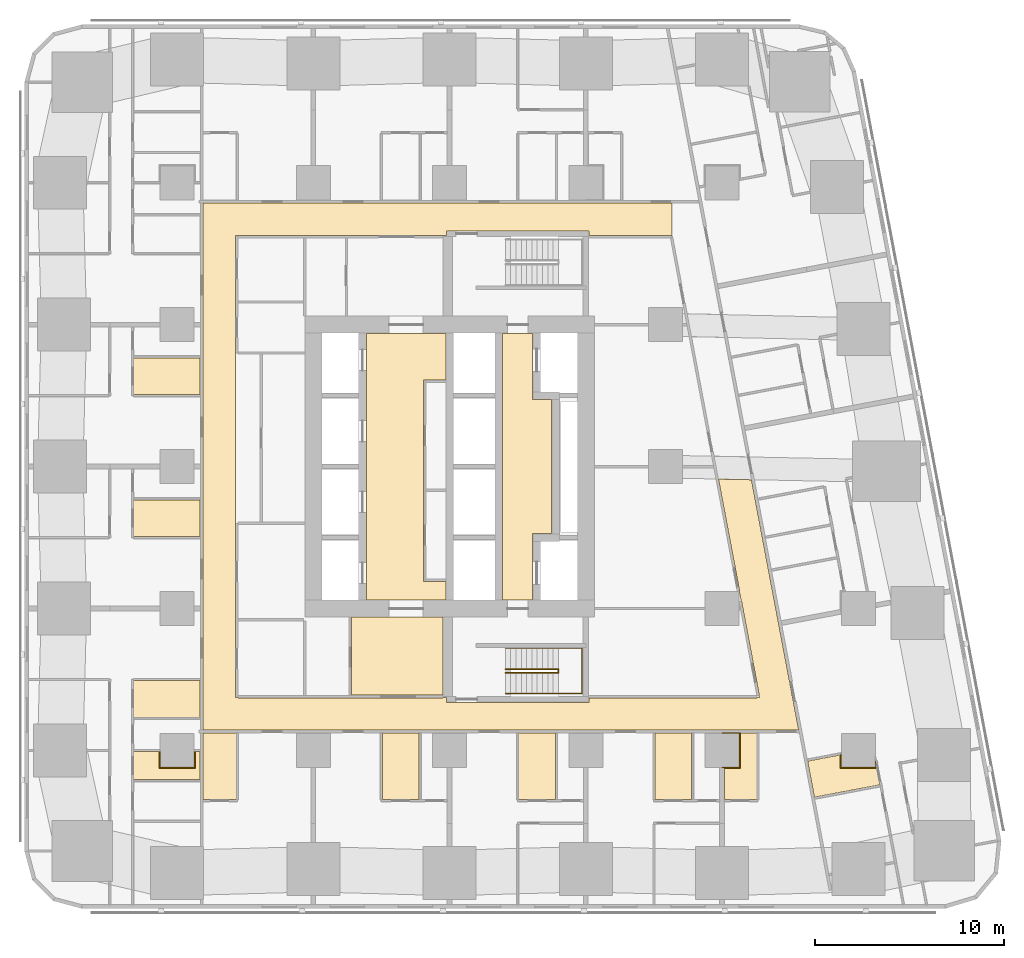
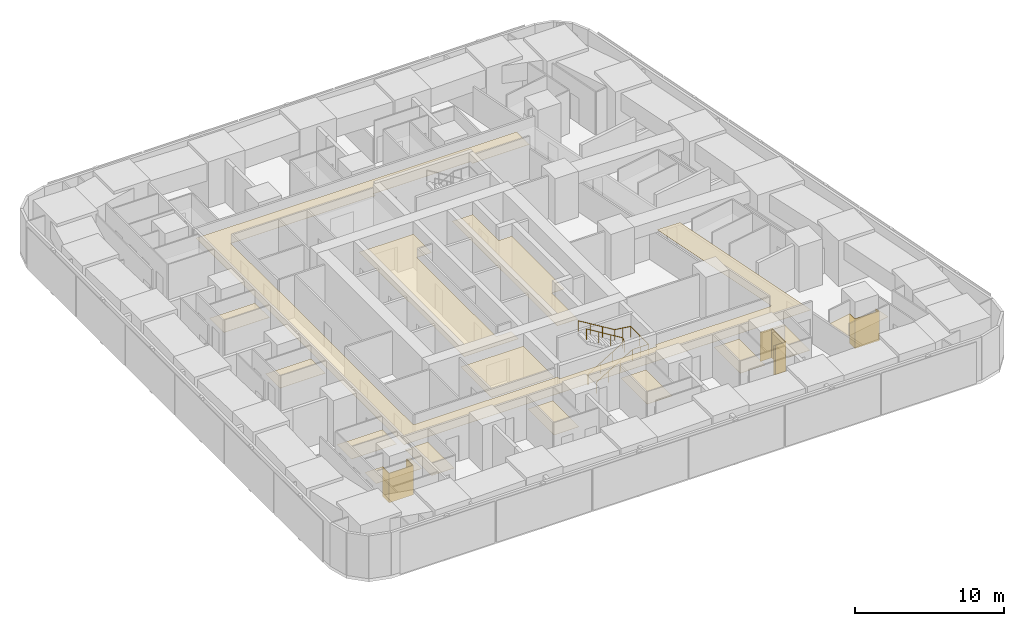
# One storey, part 13 of 15: 17 coverings, 2 railings.
"""IFC4 building model written with IfcOpenShell, lengths in metres."""

from ifc_helpers import new_model, si_unit, direction, frame, origin, origin_2d, place, context, subcontext, project, spatial, polyline, circle, outline, extrude, material, layer, layer_set, type_object, element, save


model = new_model("IFC4")

# Units and contexts
model_context = context("Model", 3, precision=1e-05, world=origin(), true_north=direction((0.0, 1.0)))
body_context = subcontext(model_context, "Body", "Model", "MODEL_VIEW")
ifc_project = project(units=[si_unit("LENGTHUNIT", "METRE"), si_unit("AREAUNIT", "SQUARE_METRE"), si_unit("VOLUMEUNIT", "CUBIC_METRE"), si_unit("PLANEANGLEUNIT", "RADIAN"), si_unit("MASSUNIT", "GRAM", prefix="KILO")], contexts=[model_context])

# Site, building, storey
site_placement = place(None, origin())
site = spatial("IfcSite", under=ifc_project, at=site_placement, CompositionType="ELEMENT")
building_placement = place(site_placement, origin())
building = spatial("IfcBuilding", under=site, at=building_placement, Name="Sheger Commons Tower", CompositionType="ELEMENT")
storey_placement = place(building_placement, frame((0.0, 0.0, 46.25)))
storey = spatial("IfcBuildingStorey", under=building, at=storey_placement, Name="L11", CompositionType="ELEMENT", Elevation=46.25)

# Railings
ifc_material_1 = material(Name="Steel handrail, black powder-coated", Category="steel")
railing_type = type_object("IfcRailingType", Name="HANDRAIL 900", PredefinedType="HANDRAIL", material=ifc_material_1)
railing_1_placement = place(storey_placement, frame((24.550048828125, 11.60009765625, 0.17041015625)))
element("IfcRailing", 1, at=railing_1_placement, inside=storey, type_object=railing_type, Name="Stair S1 handrail L11", PredefinedType="HANDRAIL", context=body_context, shape_type="SweptSolid", body=[
    extrude(circle(Radius=0.02392578125, at=origin_2d()), frame((0.0, 0.0, 0.8759765625), z_axis=(0.854169791009, 0.0, 0.51999420009), x_axis=(0.0, 1.0, 0.0)), (0.0, 0.0, 1.0), 3.278076171875),
    extrude(circle(Radius=0.02392578125, at=origin_2d()), frame((2.800048828125, 0.0, 2.58056640625), z_axis=(0.0, 0.761090297175, 0.648645943136), x_axis=(-1.0, 0.0, 0.0)), (0.0, 0.0, 1.0), 0.2626953125),
    extrude(circle(Radius=0.02392578125, at=origin_2d()), frame((2.800048828125, 0.199951171875, 2.7509765625), z_axis=(-0.854169791009, 0.0, 0.51999420009), x_axis=(0.0, -1.0, 0.0)), (0.0, 0.0, 1.0), 3.278076171875),
    extrude(circle(Radius=0.02099609375, at=origin_2d()), origin(), (0.0, 0.0, 1.0), 0.851806640625),
    extrude(circle(Radius=0.02099609375, at=origin_2d()), frame((0.933349609375, 0.0, 0.568115234375)), (0.0, 0.0, 1.0), 0.851806640625),
    extrude(circle(Radius=0.02099609375, at=origin_2d()), frame((1.86669921875, 0.0, 1.136474609375)), (0.0, 0.0, 1.0), 0.851806640625),
    extrude(circle(Radius=0.02099609375, at=origin_2d()), frame((2.800048828125, 0.0, 1.70458984375)), (0.0, 0.0, 1.0), 0.851806640625),
    extrude(circle(Radius=0.02099609375, at=origin_2d()), frame((2.800048828125, 0.199951171875, 1.875)), (0.0, 0.0, 1.0), 0.851806640625),
    extrude(circle(Radius=0.02099609375, at=origin_2d()), frame((1.86669921875, 0.199951171875, 2.443115234375)), (0.0, 0.0, 1.0), 0.851806640625),
    extrude(circle(Radius=0.02099609375, at=origin_2d()), frame((0.933349609375, 0.199951171875, 3.011474609375)), (0.0, 0.0, 1.0), 0.851806640625),
    extrude(circle(Radius=0.02099609375, at=origin_2d()), frame((0.0, 0.199951171875, 3.57958984375)), (0.0, 0.0, 1.0), 0.851806640625),
])
railing_2_placement = place(storey_placement, frame((24.550048828125, 10.5, 0.17041015625)))
element("IfcRailing", 2, at=railing_2_placement, inside=storey, type_object=railing_type, Name="Stair S1 handrail L11", PredefinedType="HANDRAIL", context=body_context, shape_type="SweptSolid", body=[
    extrude(circle(Radius=0.02392578125, at=origin_2d()), frame((0.0, 0.0, 0.8759765625), z_axis=(0.854169791009, 0.0, 0.51999420009), x_axis=(0.0, 1.0, 0.0)), (0.0, 0.0, 1.0), 3.278076171875),
    extrude(circle(Radius=0.02392578125, at=origin_2d()), frame((2.800048828125, 0.0, 2.58056640625), z_axis=(1.0, 0.0, 0.0), x_axis=(0.0, 1.0, 0.0)), (0.0, 0.0, 1.0), 1.25),
    extrude(circle(Radius=0.02392578125, at=origin_2d()), frame((4.050048828125, 0.0, 2.58056640625), z_axis=(0.0, 1.0, 0.0), x_axis=(-1.0, 0.0, 0.0)), (0.0, 0.0, 1.0), 2.39990234375),
    extrude(circle(Radius=0.02392578125, at=origin_2d()), frame((4.050048828125, 2.39990234375, 2.58056640625), z_axis=(-0.990834877927, 0.0, 0.135078661092), x_axis=(0.0, -1.0, 0.0)), (0.0, 0.0, 1.0), 1.261474609375),
    extrude(circle(Radius=0.02392578125, at=origin_2d()), frame((2.800048828125, 2.39990234375, 2.7509765625), z_axis=(-0.854169791009, 0.0, 0.51999420009), x_axis=(0.0, -1.0, 0.0)), (0.0, 0.0, 1.0), 3.278076171875),
    extrude(circle(Radius=0.02099609375, at=origin_2d()), origin(), (0.0, 0.0, 1.0), 0.851806640625),
    extrude(circle(Radius=0.02099609375, at=origin_2d()), frame((0.933349609375, 0.0, 0.568115234375)), (0.0, 0.0, 1.0), 0.851806640625),
    extrude(circle(Radius=0.02099609375, at=origin_2d()), frame((1.86669921875, 0.0, 1.136474609375)), (0.0, 0.0, 1.0), 0.851806640625),
    extrude(circle(Radius=0.02099609375, at=origin_2d()), frame((2.800048828125, 0.0, 1.70458984375)), (0.0, 0.0, 1.0), 0.851806640625),
    extrude(circle(Radius=0.02099609375, at=origin_2d()), frame((3.425048828125, 0.0, 1.70458984375)), (0.0, 0.0, 1.0), 0.851806640625),
    extrude(circle(Radius=0.02099609375, at=origin_2d()), frame((4.050048828125, 0.0, 1.70458984375)), (0.0, 0.0, 1.0), 0.851806640625),
    extrude(circle(Radius=0.02099609375, at=origin_2d()), frame((4.050048828125, 1.199951171875, 1.70458984375)), (0.0, 0.0, 1.0), 0.851806640625),
    extrude(circle(Radius=0.02099609375, at=origin_2d()), frame((4.050048828125, 2.39990234375, 1.70458984375)), (0.0, 0.0, 1.0), 0.851806640625),
    extrude(circle(Radius=0.02099609375, at=origin_2d()), frame((3.425048828125, 2.39990234375, 1.789794921875)), (0.0, 0.0, 1.0), 0.851806640625),
    extrude(circle(Radius=0.02099609375, at=origin_2d()), frame((2.800048828125, 2.39990234375, 1.875)), (0.0, 0.0, 1.0), 0.851806640625),
    extrude(circle(Radius=0.02099609375, at=origin_2d()), frame((1.86669921875, 2.39990234375, 2.443115234375)), (0.0, 0.0, 1.0), 0.851806640625),
    extrude(circle(Radius=0.02099609375, at=origin_2d()), frame((0.933349609375, 2.39990234375, 3.011474609375)), (0.0, 0.0, 1.0), 0.851806640625),
    extrude(circle(Radius=0.02099609375, at=origin_2d()), frame((0.0, 2.39990234375, 3.57958984375)), (0.0, 0.0, 1.0), 0.851806640625),
])

# Coverings
ifc_material_2 = material(Name="Moisture-resistant gypsum plasterboard 15 mm on a suspended galvanised steel grid", Category="steel")
ifc_layer_1 = layer(ifc_material_2, 0.014892578125)
ifc_layer_set_1 = layer_set([ifc_layer_1], Name="MOISTURE-RESISTANT CEILING 15")
covering_type_1 = type_object("IfcCoveringType", Name="MOISTURE-RESISTANT CEILING 15", PredefinedType="CEILING", material=ifc_layer_set_1)
covering_1_placement = place(storey_placement, frame((0.0, 0.0, 2.39990234375)))
element("IfcCovering", 3, at=covering_1_placement, inside=storey, type_object=covering_type_1, Name="L11-01.B1 ceiling", PredefinedType="CEILING", context=body_context, shape_type="SweptSolid", body=[
    extrude(outline(polyline([(4.905029296875, 9.2548828125), (8.419921875, 9.2548828125), (8.419921875, 11.195068359375), (4.905029296875, 11.195068359375), (4.905029296875, 9.2548828125)])), origin(), (0.0, 0.0, 1.0), 0.01513671875),
])
covering_2_placement = place(storey_placement, frame((0.0, 0.0, 2.39990234375)))
element("IfcCovering", 4, at=covering_2_placement, inside=storey, type_object=covering_type_1, Name="L11-01.B2 ceiling", PredefinedType="CEILING", context=body_context, shape_type="SweptSolid", body=[
    extrude(outline(polyline([(4.905029296875, 5.955078125), (8.419921875, 5.955078125), (8.419921875, 7.445068359375), (8.10498046875, 7.445068359375), (8.10498046875, 6.594970703125), (6.294921875, 6.594970703125), (6.294921875, 7.445068359375), (4.905029296875, 7.445068359375), (4.905029296875, 5.955078125)])), origin(), (0.0, 0.0, 1.0), 0.01513671875),
])
covering_3_placement = place(storey_placement, frame((0.0, 0.0, 2.39990234375)))
element("IfcCovering", 5, at=covering_3_placement, inside=storey, type_object=covering_type_1, Name="L11-02.B1 ceiling", PredefinedType="CEILING", context=body_context, shape_type="SweptSolid", body=[
    extrude(outline(polyline([(4.905029296875, 18.804931640625), (8.419921875, 18.804931640625), (8.419921875, 20.7451171875), (4.905029296875, 20.7451171875), (4.905029296875, 18.804931640625)])), origin(), (0.0, 0.0, 1.0), 0.01513671875),
])
covering_4_placement = place(storey_placement, frame((0.0, 0.0, 2.39990234375)))
element("IfcCovering", 6, at=covering_4_placement, inside=storey, type_object=covering_type_1, Name="L11-03.B1 ceiling", PredefinedType="CEILING", context=body_context, shape_type="SweptSolid", body=[
    extrude(outline(polyline([(4.905029296875, 26.304931640625), (8.419921875, 26.304931640625), (8.419921875, 28.2451171875), (4.905029296875, 28.2451171875), (4.905029296875, 26.304931640625)])), origin(), (0.0, 0.0, 1.0), 0.01513671875),
])
covering_5_placement = place(storey_placement, frame((0.0, 0.0, 2.39990234375)))
element("IfcCovering", 7, at=covering_5_placement, inside=storey, type_object=covering_type_1, Name="L11-05.B1 ceiling", PredefinedType="CEILING", context=body_context, shape_type="SweptSolid", body=[
    extrude(outline(polyline([(8.580078125, 4.905029296875), (10.3349609375, 4.905029296875), (10.3349609375, 8.419921875), (8.580078125, 8.419921875), (8.580078125, 4.905029296875)])), origin(), (0.0, 0.0, 1.0), 0.01513671875),
])
covering_6_placement = place(storey_placement, frame((0.0, 0.0, 2.39990234375)))
element("IfcCovering", 8, at=covering_6_placement, inside=storey, type_object=covering_type_1, Name="L11-06.B1 ceiling", PredefinedType="CEILING", context=body_context, shape_type="SweptSolid", body=[
    extrude(outline(polyline([(18.054931640625, 4.905029296875), (19.9951171875, 4.905029296875), (19.9951171875, 8.419921875), (18.054931640625, 8.419921875), (18.054931640625, 4.905029296875)])), origin(), (0.0, 0.0, 1.0), 0.01513671875),
])
covering_7_placement = place(storey_placement, frame((0.0, 0.0, 2.39990234375)))
element("IfcCovering", 9, at=covering_7_placement, inside=storey, type_object=covering_type_1, Name="L11-07.B1 ceiling", PredefinedType="CEILING", context=body_context, shape_type="SweptSolid", body=[
    extrude(outline(polyline([(25.2548828125, 4.905029296875), (27.195068359375, 4.905029296875), (27.195068359375, 8.419921875), (25.2548828125, 8.419921875), (25.2548828125, 4.905029296875)])), origin(), (0.0, 0.0, 1.0), 0.01513671875),
])
covering_8_placement = place(storey_placement, frame((0.0, 0.0, 2.39990234375)))
element("IfcCovering", 10, at=covering_8_placement, inside=storey, type_object=covering_type_1, Name="L11-08.B1 ceiling", PredefinedType="CEILING", context=body_context, shape_type="SweptSolid", body=[
    extrude(outline(polyline([(32.455078125, 4.905029296875), (34.39501953125, 4.905029296875), (34.39501953125, 8.419921875), (32.455078125, 8.419921875), (32.455078125, 4.905029296875)])), origin(), (0.0, 0.0, 1.0), 0.01513671875),
])
covering_9_placement = place(storey_placement, frame((0.0, 0.0, 2.39990234375)))
element("IfcCovering", 11, at=covering_9_placement, inside=storey, type_object=covering_type_1, Name="L11-09.B1 ceiling", PredefinedType="CEILING", context=body_context, shape_type="SweptSolid", body=[
    extrude(outline(polyline([(36.1298828125, 4.905029296875), (37.8349609375, 4.905029296875), (37.8349609375, 8.419921875), (36.0, 8.419921875), (36.0, 8.405029296875), (36.905029296875, 8.405029296875), (36.905029296875, 6.594970703125), (36.1298828125, 6.594970703125), (36.1298828125, 4.905029296875)])), origin(), (0.0, 0.0, 1.0), 0.01513671875),
])
covering_10_placement = place(storey_placement, frame((0.0, 0.0, 2.39990234375)))
element("IfcCovering", 12, at=covering_10_placement, inside=storey, type_object=covering_type_1, Name="L11-13.B1 ceiling", PredefinedType="CEILING", context=body_context, shape_type="SweptSolid", body=[
    extrude(outline(polyline([(40.881103515625, 5.031982421875), (44.333984375, 5.68408203125), (44.10693359375, 6.885009765625), (44.10498046875, 6.885009765625), (44.10498046875, 6.594970703125), (42.294921875, 6.594970703125), (42.294921875, 7.27294921875), (40.52099609375, 6.93798828125), (40.881103515625, 5.031982421875)])), origin(), (0.0, 0.0, 1.0), 0.01513671875),
])
ifc_material_3 = material(Name="Gypsum plasterboard 15 mm on a suspended steel grid", Category="steel")
ifc_layer_2 = layer(ifc_material_3, 0.014892578125)
ifc_layer_set_2 = layer_set([ifc_layer_2], Name="SUSPENDED CEILING 15")
covering_type_2 = type_object("IfcCoveringType", Name="SUSPENDED CEILING 15", PredefinedType="CEILING", material=ifc_layer_set_2)
covering_11_placement = place(storey_placement, frame((0.0, 0.0, 2.699951171875)))
element("IfcCovering", 13, at=covering_11_placement, inside=storey, type_object=covering_type_2, Name="L11-CO ceiling", PredefinedType="CEILING", context=body_context, shape_type="SweptSolid", body=[
    extrude(outline(polyline([(8.580078125, 8.580078125), (40.048095703125, 8.580078125), (37.551025390625, 21.802978515625), (35.81103515625, 21.837890625), (36.927978515625, 15.9208984375), (36.910888671875, 15.9169921875), (37.010009765625, 15.39501953125), (37.027099609375, 15.39794921875), (37.967041015625, 10.4208984375), (37.949951171875, 10.4169921875), (37.971923828125, 10.300048828125), (37.841064453125, 10.300048828125), (37.841064453125, 10.281982421875), (28.955078125, 10.281982421875), (28.955078125, 10.044921875), (21.445068359375, 10.044921875), (21.445068359375, 10.300048828125), (21.2548828125, 10.300048828125), (21.2548828125, 10.281982421875), (10.407958984375, 10.281982421875), (10.407958984375, 10.294921875), (10.281982421875, 10.294921875), (10.281982421875, 19.5048828125), (10.300048828125, 19.5048828125), (10.300048828125, 28.4951171875), (10.281982421875, 28.4951171875), (10.281982421875, 34.705078125), (10.407958984375, 34.705078125), (10.407958984375, 34.718017578125), (21.2548828125, 34.718017578125), (21.2548828125, 34.699951171875), (21.445068359375, 34.699951171875), (21.445068359375, 34.955078125), (28.955078125, 34.955078125), (28.955078125, 34.718017578125), (33.3359375, 34.718017578125), (33.3359375, 34.699951171875), (33.361083984375, 34.699951171875), (33.361083984375, 36.419921875), (8.580078125, 36.419921875), (8.580078125, 8.580078125)])), origin(), (0.0, 0.0, 1.0), 0.01513671875),
])
covering_12_placement = place(storey_placement, frame((0.0, 0.0, 2.699951171875)))
element("IfcCovering", 14, at=covering_12_placement, inside=storey, type_object=covering_type_2, Name="L11-SVS1 ceiling", PredefinedType="CEILING", context=body_context, shape_type="SweptSolid", body=[
    extrude(outline(polyline([(16.406982421875, 10.41796875), (21.2451171875, 10.41796875), (21.2451171875, 14.544921875), (16.406982421875, 14.544921875), (16.406982421875, 10.41796875)])), origin(), (0.0, 0.0, 1.0), 0.01513671875),
])
covering_13_placement = place(storey_placement, frame((0.0, 0.0, 2.699951171875)))
element("IfcCovering", 15, at=covering_13_placement, inside=storey, type_object=covering_type_2, Name="L11-LL ceiling", PredefinedType="CEILING", context=body_context, shape_type="SweptSolid", body=[
    extrude(outline(polyline([(17.205078125, 15.455078125), (21.39990234375, 15.455078125), (21.39990234375, 16.43310546875), (20.35791015625, 16.43310546875), (20.23291015625, 16.43310546875), (20.23291015625, 27.06689453125), (20.35791015625, 27.06689453125), (21.39990234375, 27.06689453125), (21.39990234375, 29.544921875), (17.205078125, 29.544921875), (17.205078125, 15.455078125)])), origin(), (0.0, 0.0, 1.0), 0.01513671875),
])
covering_14_placement = place(storey_placement, frame((0.0, 0.0, 2.699951171875)))
element("IfcCovering", 16, at=covering_14_placement, inside=storey, type_object=covering_type_2, Name="L11-FL ceiling", PredefinedType="CEILING", context=body_context, shape_type="SweptSolid", body=[
    extrude(outline(polyline([(24.405029296875, 15.455078125), (25.9951171875, 15.455078125), (25.9951171875, 18.955078125), (26.9951171875, 18.955078125), (26.9951171875, 26.044921875), (25.9951171875, 26.044921875), (25.9951171875, 29.544921875), (24.405029296875, 29.544921875), (24.405029296875, 15.455078125)])), origin(), (0.0, 0.0, 1.0), 0.01513671875),
])
ifc_material_4 = material(Name="Moisture-resistant gypsum board 12.5 mm on 25 mm treated timber battens, tanked and tiled", Category="wood")
ifc_layer_3 = layer(ifc_material_4, 0.050048828125)
ifc_layer_set_3 = layer_set([ifc_layer_3], Name="WET-ROOM COLUMN LINING")
covering_type_3 = type_object("IfcCoveringType", Name="WET-ROOM COLUMN LINING", PredefinedType="CLADDING", material=ifc_layer_set_3)
covering_15_placement = place(storey_placement, origin())
element("IfcCovering", 17, at=covering_15_placement, inside=storey, type_object=covering_type_3, Name="Shower room column lining C8 L11", PredefinedType="CLADDING", context=body_context, shape_type="SweptSolid", body=[
    extrude(outline(polyline([(6.300048828125, 7.5), (6.300048828125, 6.60009765625), (8.10009765625, 6.60009765625), (8.10009765625, 7.5), (8.10107421875, 7.5), (8.10107421875, 7.449951171875), (8.14990234375, 7.449951171875), (8.14990234375, 6.550048828125), (6.25, 6.550048828125), (6.25, 7.449951171875), (6.299072265625, 7.449951171875), (6.299072265625, 7.5), (6.300048828125, 7.5)])), origin(), (0.0, 0.0, 1.0), 2.39990234375),
])
covering_16_placement = place(storey_placement, origin())
element("IfcCovering", 18, at=covering_16_placement, inside=storey, type_object=covering_type_3, Name="Shower room column lining C8 L11", PredefinedType="CLADDING", context=body_context, shape_type="SweptSolid", body=[
    extrude(outline(polyline([(36.949951171875, 6.550048828125), (36.125, 6.550048828125), (36.125, 6.59912109375), (36.0, 6.59912109375), (36.0, 6.60009765625), (36.89990234375, 6.60009765625), (36.89990234375, 8.39990234375), (36.0, 8.39990234375), (36.0, 8.425048828125), (36.949951171875, 8.425048828125), (36.949951171875, 6.550048828125)])), origin(), (0.0, 0.0, 1.0), 2.39990234375),
])
covering_17_placement = place(storey_placement, origin())
element("IfcCovering", 19, at=covering_17_placement, inside=storey, type_object=covering_type_3, Name="Bathroom column lining C8 L11", PredefinedType="CLADDING", context=body_context, shape_type="SweptSolid", body=[
    extrude(outline(polyline([(42.300048828125, 7.3310546875), (42.300048828125, 6.60009765625), (44.10009765625, 6.60009765625), (44.10009765625, 6.949951171875), (44.14990234375, 6.68603515625), (44.14990234375, 6.550048828125), (42.25, 6.550048828125), (42.25, 7.27001953125), (42.299072265625, 7.279052734375), (42.2900390625, 7.3291015625), (42.300048828125, 7.3310546875)])), origin(), (0.0, 0.0, 1.0), 2.39990234375),
])

save(model, "model.ifc")
